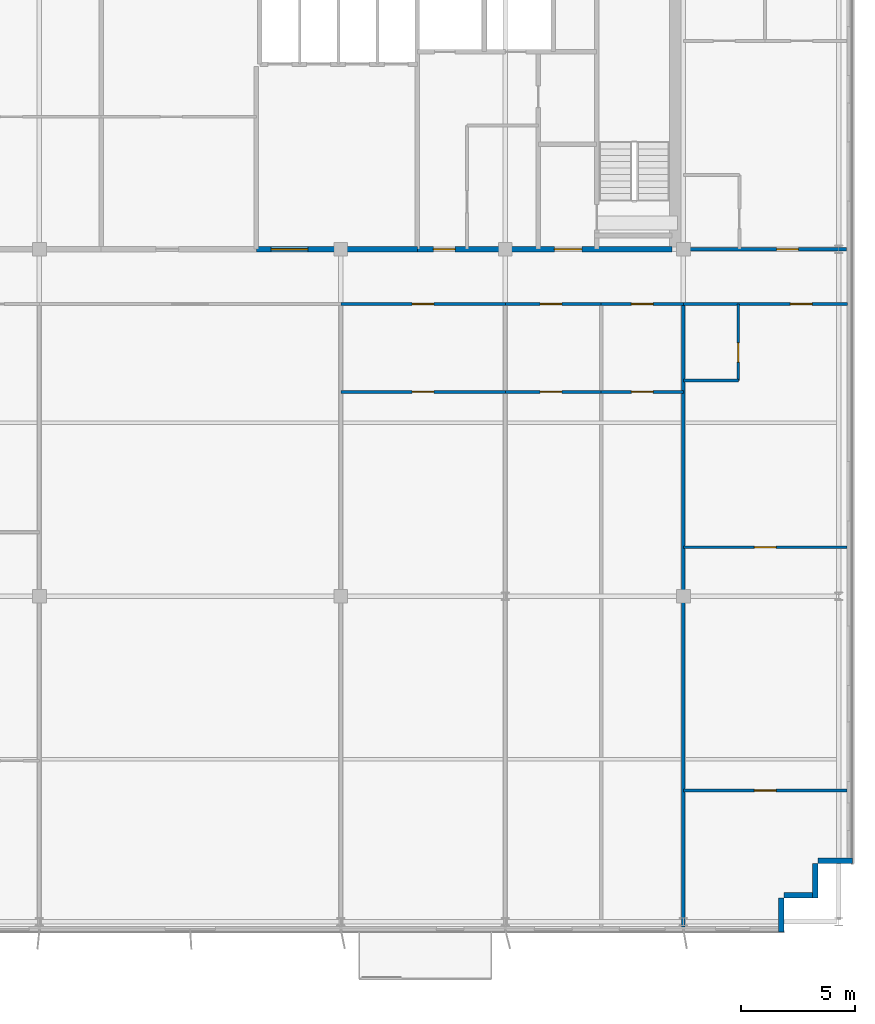
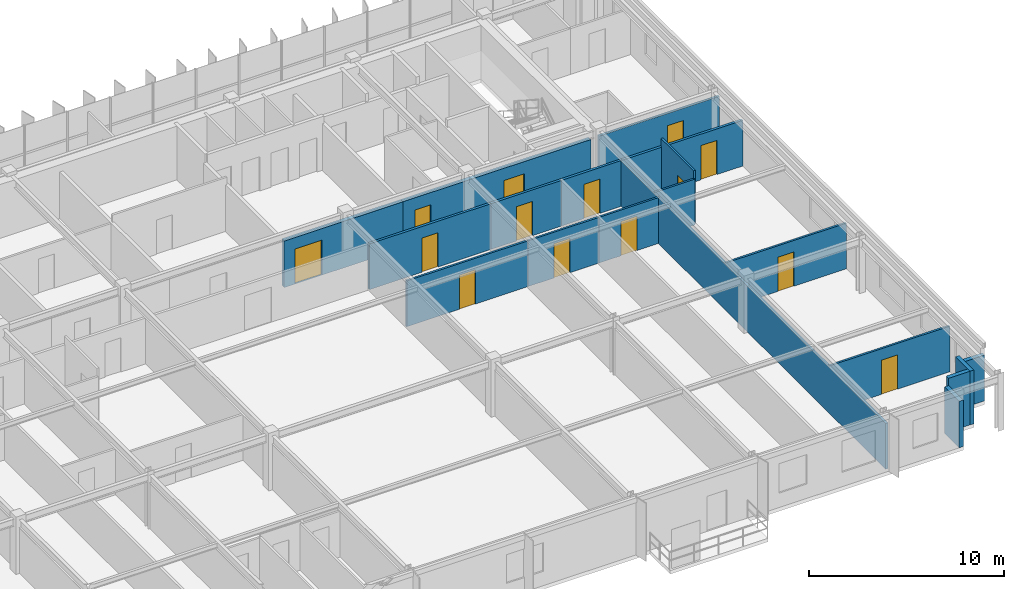
# One storey, part 18 of 22: 19 walls, 14 doors, 14 openings.
"""IFC4 building model written with IfcOpenShell, lengths in metres."""

from ifc_helpers import new_model, si_unit, direction, frame, frame_2d, origin, place, context, subcontext, project, spatial, rectangle, extrude, source, transform, mapped, material, layer, layer_set, type_object, element, fill, save


model = new_model("IFC4")

# Units and contexts
model_context = context("Model", 3, precision=1e-05, world=origin(), true_north=direction((0.0, 1.0)))
body_context = subcontext(model_context, "Body", "Model", "MODEL_VIEW")
ifc_project = project(units=[si_unit("LENGTHUNIT", "METRE"), si_unit("AREAUNIT", "SQUARE_METRE"), si_unit("VOLUMEUNIT", "CUBIC_METRE"), si_unit("PLANEANGLEUNIT", "RADIAN"), si_unit("MASSUNIT", "GRAM", prefix="KILO")], contexts=[model_context])

# Site, building, storey
site_placement = place(None, origin())
site = spatial("IfcSite", under=ifc_project, at=site_placement, CompositionType="ELEMENT")
building_placement = place(site_placement, origin())
building = spatial("IfcBuilding", under=site, at=building_placement, Name="Trelvane Seafront Commons", CompositionType="ELEMENT")
storey_placement = place(building_placement, frame((0.0, 0.0, 277.5)))
storey = spatial("IfcBuildingStorey", under=building, at=storey_placement, Name="L72", CompositionType="ELEMENT", Elevation=277.5)

# Walls
ifc_material_1 = material(Name="Precast concrete C40/50", Category="concrete")
ifc_layer_1 = layer(ifc_material_1, 0.239990234375, Name="ARCH-WALL-EXT240")
ifc_layer_set_1 = layer_set([ifc_layer_1], Name="Precast concrete C40/50")
wall_type_1 = type_object("IfcWallType", Name="ARCH-WALL-EXT240", PredefinedType="SOLIDWALL", material=ifc_layer_set_1)
wall_1_placement = place(storey_placement, frame((66.199951171875, 6.6201171875, 0.0), z_axis=(0.0, 0.0, 1.0), x_axis=(-1.0, 0.0, 0.0)))
element("IfcWall", 1, at=wall_1_placement, inside=storey, type_object=wall_type_1, Name="EW-L72-01460", PredefinedType="SOLIDWALL", context=body_context, shape_type="SweptSolid", body=[
    extrude(rectangle(XDim=1.5, YDim=0.239990234375, at=frame_2d((0.75, 0.0))), origin(), (0.0, 0.0, 1.0), 2.8701171875),
])
for number, where, z_axis, x_axis, name in (
    (2, (64.580078125, 6.5, 0.0), (0.0, 0.0, 1.0), (0.0, -1.0, 0.0), "EW-L72-01461"),
    (3, (64.699951171875, 5.1201171875, 0.0), (0.0, 0.0, 1.0), (-1.0, 0.0, 0.0), "EW-L72-01462"),
):
    element("IfcWall", number, at=place(storey_placement, frame(where, z_axis=z_axis, x_axis=x_axis)), inside=storey, type_object=wall_type_1, Name=name, PredefinedType="SOLIDWALL", context=body_context, shape_type="SweptSolid", body=[
        extrude(rectangle(XDim=1.5, YDim=0.239990234375, at=frame_2d((0.75, 0.0))), origin(), (0.0, 0.0, 1.0), 3.3701171875),
    ])
wall_2_placement = place(storey_placement, frame((63.080078125, 5.0, 0.0), z_axis=(0.0, 0.0, 1.0), x_axis=(0.0, -1.0, 0.0)))
element("IfcWall", 4, at=wall_2_placement, inside=storey, type_object=wall_type_1, Name="EW-L72-01463", PredefinedType="SOLIDWALL", context=body_context, shape_type="SweptSolid", body=[
    extrude(rectangle(XDim=1.5, YDim=0.239990234375, at=frame_2d((0.75, 0.0))), origin(), (0.0, 0.0, 1.0), 2.919921875),
])

# Wall, opening, door
ifc_material_2 = material(Name="Concrete C40/50", Category="concrete")
ifc_layer_2 = layer(ifc_material_2, 0.25, Name="ARCH-WALL-FIRE250")
ifc_layer_set_2 = layer_set([ifc_layer_2], Name="Concrete C40/50")
wall_type_2 = type_object("IfcWallType", Name="ARCH-WALL-FIRE250", PredefinedType="PARTITIONING", material=ifc_layer_set_2)
wall_3_placement = place(storey_placement, frame((40.10009765625, 33.39990234375, 0.0), z_axis=(0.0, 0.0, 1.0), x_axis=(1.0, 0.0, 0.0)))
wall_3 = element("IfcWall", 5, at=wall_3_placement, inside=storey, type_object=wall_type_2, Name="W-L72-CS-PAX-026", PredefinedType="PARTITIONING", context=body_context, shape_type="SweptSolid", body=[
    extrude(rectangle(XDim=7.0498046875, YDim=0.25, at=frame_2d((3.52490234375, 0.0))), origin(), (0.0, 0.0, 1.0), 2.919921875),
])
opening_1_placement = place(wall_3_placement, frame((0.64990234375, 0.0, 0.0)))
opening_1 = element("IfcOpeningElement", 6, at=opening_1_placement, cuts=wall_3, Name="Opening FD-L72-14", PredefinedType="OPENING", context=body_context, shape_type="SweptSolid", body=[
    extrude(rectangle(XDim=1.60009765625, YDim=2.199951171875, at=frame_2d((0.800048828125, 1.10009765625))), frame((0.0, 0.135009765625, 0.0), z_axis=(0.0, -1.0, 0.0), x_axis=(1.0, 0.0, 0.0)), (0.0, 0.0, 1.0), 0.27001953125),
])
ifc_material_3 = material(Name="Powder-coated aluminium frame", Category="aluminium")
door_type_1 = type_object("IfcDoorType", Name="ARCH-DR-FD60-1600", OperationType="DOUBLE_DOOR_SINGLE_SWING", PredefinedType="DOOR", material=ifc_material_3)
shared_shape_1 = source(origin(), body_context, "Body", "SweptSolid", [
    extrude(rectangle(XDim=1.60009765625, YDim=2.199951171875, at=frame_2d((0.800048828125, 1.10009765625))), frame((0.0, 0.02490234375, 0.0), z_axis=(0.0, -1.0, 0.0), x_axis=(1.0, 0.0, 0.0)), (0.0, 0.0, 1.0), 0.050048828125),
])
door_1_placement = place(opening_1_placement, origin())
door_1 = element("IfcDoor", 7, at=door_1_placement, inside=storey, type_object=door_type_1, Name="L72 High-Rise Lift Lobby Double Door", OperationType="DOUBLE_DOOR_SINGLE_SWING", OverallHeight=2.199951171875, OverallWidth=1.60009765625, PredefinedType="DOOR", context=body_context, shape_type="MappedRepresentation", body=[
    mapped(shared_shape_1, transform((0.0, 0.0, 0.0), x_axis=(1.0, 0.0, 0.0), y_axis=(0.0, 1.0, 0.0), z_axis=(0.0, 0.0, 1.0), scale=1.0)),
])
fill(opening_1, door_1)

# Wall, openings, doors
wall_4_placement = place(storey_placement, frame((47.14990234375, 33.39990234375, 0.0), z_axis=(0.0, 0.0, 1.0), x_axis=(1.0, 0.0, 0.0)))
wall_4 = element("IfcWall", 8, at=wall_4_placement, inside=storey, type_object=wall_type_2, Name="W-L72-CS-EAST-034", PredefinedType="PARTITIONING", context=body_context, shape_type="SweptSolid", body=[
    extrude(rectangle(XDim=11.150146484375, YDim=0.25, at=frame_2d((5.5751953125, 0.0))), origin(), (0.0, 0.0, 1.0), 2.919921875),
])
opening_2_placement = place(wall_4_placement, frame((0.699951171875, 0.0, 0.0)))
opening_2 = element("IfcOpeningElement", 9, at=opening_2_placement, cuts=wall_4, Name="Opening FD-L72-19", PredefinedType="OPENING", context=body_context, shape_type="SweptSolid", body=[
    extrude(rectangle(XDim=0.949951171875, YDim=2.14990234375, at=frame_2d((0.47509765625, 1.074951171875))), frame((0.0, 0.135009765625, 0.0), z_axis=(0.0, -1.0, 0.0), x_axis=(1.0, 0.0, 0.0)), (0.0, 0.0, 1.0), 0.27001953125),
])
opening_3_placement = place(wall_4_placement, frame((6.0, 0.0, 0.0)))
opening_3 = element("IfcOpeningElement", 10, at=opening_3_placement, cuts=wall_4, Name="Opening FD-L72-20", PredefinedType="OPENING", context=body_context, shape_type="SweptSolid", body=[
    extrude(rectangle(XDim=1.199951171875, YDim=2.14990234375, at=frame_2d((0.60009765625, 1.074951171875))), frame((0.0, 0.135009765625, 0.0), z_axis=(0.0, -1.0, 0.0), x_axis=(1.0, 0.0, 0.0)), (0.0, 0.0, 1.0), 0.27001953125),
])
door_type_2 = type_object("IfcDoorType", Name="ARCH-DR-FD60-950", OperationType="NOTDEFINED", PredefinedType="DOOR", material=ifc_material_3)
shared_shape_2 = source(origin(), body_context, "Body", "SweptSolid", [
    extrude(rectangle(XDim=0.949951171875, YDim=2.14990234375, at=frame_2d((0.47509765625, 1.074951171875))), frame((0.0, 0.02490234375, 0.0), z_axis=(0.0, -1.0, 0.0), x_axis=(1.0, 0.0, 0.0)), (0.0, 0.0, 1.0), 0.050048828125),
])
door_2_placement = place(opening_2_placement, origin())
door_2 = element("IfcDoor", 11, at=door_2_placement, inside=storey, type_object=door_type_2, Name="L72 Core Service Lobby Door", OperationType="SINGLE_SWING_LEFT", OverallHeight=2.14990234375, OverallWidth=0.949951171875, PredefinedType="DOOR", context=body_context, shape_type="MappedRepresentation", body=[
    mapped(shared_shape_2, transform((0.0, 0.0, 0.0), x_axis=(1.0, 0.0, 0.0), y_axis=(0.0, 1.0, 0.0), z_axis=(0.0, 0.0, 1.0), scale=1.0)),
])
fill(opening_2, door_2)
door_type_3 = type_object("IfcDoorType", Name="ARCH-DR-FD60-1200", OperationType="NOTDEFINED", PredefinedType="DOOR", material=ifc_material_3)
shared_shape_3 = source(origin(), body_context, "Body", "SweptSolid", [
    extrude(rectangle(XDim=1.199951171875, YDim=2.14990234375, at=frame_2d((0.60009765625, 1.074951171875))), frame((0.0, 0.02490234375, 0.0), z_axis=(0.0, -1.0, 0.0), x_axis=(1.0, 0.0, 0.0)), (0.0, 0.0, 1.0), 0.050048828125),
])
door_3_placement = place(opening_3_placement, origin())
door_3 = element("IfcDoor", 12, at=door_3_placement, inside=storey, type_object=door_type_3, Name="L72 East Stair Vestibule Fire Door", OperationType="SINGLE_SWING_RIGHT", OverallHeight=2.14990234375, OverallWidth=1.199951171875, PredefinedType="DOOR", context=body_context, shape_type="MappedRepresentation", body=[
    mapped(shared_shape_3, transform((0.0, 0.0, 0.0), x_axis=(1.0, 0.0, 0.0), y_axis=(0.0, 1.0, 0.0), z_axis=(0.0, 0.0, 1.0), scale=1.0)),
])
fill(opening_3, door_3)

# Wall, opening, door
ifc_material_4 = material(Name="Gypsum Drywall Acoustic Partition")
ifc_layer_3 = layer(ifc_material_4, 0.1201171875, Name="ARCH-WALL-PART120")
ifc_layer_set_3 = layer_set([ifc_layer_3], Name="Gypsum Drywall Acoustic Partition")
wall_type_3 = type_object("IfcWallType", Name="ARCH-WALL-PART120", PredefinedType="PARTITIONING", material=ifc_layer_set_3)
wall_5_placement = place(storey_placement, frame((43.800048828125, 27.14990234375, 0.0), z_axis=(0.0, 0.0, 1.0), x_axis=(1.0, 0.0, 0.0)))
wall_5 = element("IfcWall", 13, at=wall_5_placement, inside=storey, type_object=wall_type_3, Name="W-L72-U6-DIV-073", PredefinedType="PARTITIONING", context=body_context, shape_type="SweptSolid", body=[
    extrude(rectangle(XDim=7.199951171875, YDim=0.1201171875, at=frame_2d((3.60009765625, 0.0))), origin(), (0.0, 0.0, 1.0), 2.8701171875),
])
opening_4_placement = place(wall_5_placement, frame((3.125, 0.0, 0.0)))
opening_4 = element("IfcOpeningElement", 14, at=opening_4_placement, cuts=wall_5, Name="Opening D-L72-45", PredefinedType="OPENING", context=body_context, shape_type="SweptSolid", body=[
    extrude(rectangle(XDim=0.949951171875, YDim=2.14990234375, at=frame_2d((0.47509765625, 1.074951171875))), frame((0.0, 0.070068359375, 0.0), z_axis=(0.0, -1.0, 0.0), x_axis=(1.0, 0.0, 0.0)), (0.0, 0.0, 1.0), 0.14013671875),
])
ifc_material_5 = material(Name="Acoustic timber door leaf", Category="wood")
door_type_4 = type_object("IfcDoorType", Name="ARCH-DR-INT950", OperationType="NOTDEFINED", PredefinedType="DOOR", material=ifc_material_5)
door_4_placement = place(opening_4_placement, origin())
door_4 = element("IfcDoor", 15, at=door_4_placement, inside=storey, type_object=door_type_4, Name="L72 Door 45", OperationType="SINGLE_SWING_LEFT", OverallHeight=2.14990234375, OverallWidth=0.949951171875, PredefinedType="DOOR", context=body_context, shape_type="MappedRepresentation", body=[
    mapped(shared_shape_2, transform((0.0, 0.0, 0.0), x_axis=(1.0, 0.0, 0.0), y_axis=(0.0, 1.0, 0.0), z_axis=(0.0, 0.0, 1.0), scale=1.0)),
])
fill(opening_4, door_4)

wall_6_placement = place(storey_placement, frame((51.0, 27.14990234375, 0.0), z_axis=(0.0, 0.0, 1.0), x_axis=(1.0, 0.0, 0.0)))
wall_6 = element("IfcWall", 16, at=wall_6_placement, inside=storey, type_object=wall_type_3, Name="W-L72-U7-DIV-075", PredefinedType="PARTITIONING", context=body_context, shape_type="SweptSolid", body=[
    extrude(rectangle(XDim=4.199951171875, YDim=0.1201171875, at=frame_2d((2.10009765625, 0.0))), origin(), (0.0, 0.0, 1.0), 2.8701171875),
])
opening_5_placement = place(wall_6_placement, frame((1.529052734375, 0.0, 0.0)))
opening_5 = element("IfcOpeningElement", 17, at=opening_5_placement, cuts=wall_6, Name="Opening D-L72-47", PredefinedType="OPENING", context=body_context, shape_type="SweptSolid", body=[
    extrude(rectangle(XDim=0.949951171875, YDim=2.14990234375, at=frame_2d((0.47509765625, 1.074951171875))), frame((0.0, 0.070068359375, 0.0), z_axis=(0.0, -1.0, 0.0), x_axis=(1.0, 0.0, 0.0)), (0.0, 0.0, 1.0), 0.14013671875),
])
door_5_placement = place(opening_5_placement, origin())
door_5 = element("IfcDoor", 18, at=door_5_placement, inside=storey, type_object=door_type_4, Name="L72 Door 47", OperationType="SINGLE_SWING_LEFT", OverallHeight=2.14990234375, OverallWidth=0.949951171875, PredefinedType="DOOR", context=body_context, shape_type="MappedRepresentation", body=[
    mapped(shared_shape_2, transform((0.0, 0.0, 0.0), x_axis=(1.0, 0.0, 0.0), y_axis=(0.0, 1.0, 0.0), z_axis=(0.0, 0.0, 1.0), scale=1.0)),
])
fill(opening_5, door_5)

wall_7_placement = place(storey_placement, frame((55.199951171875, 27.14990234375, 0.0), z_axis=(0.0, 0.0, 1.0), x_axis=(1.0, 0.0, 0.0)))
wall_7 = element("IfcWall", 19, at=wall_7_placement, inside=storey, type_object=wall_type_3, Name="W-L72-U8-DIV-077", PredefinedType="PARTITIONING", context=body_context, shape_type="SweptSolid", body=[
    extrude(rectangle(XDim=3.60009765625, YDim=0.1201171875, at=frame_2d((1.800048828125, 0.0))), origin(), (0.0, 0.0, 1.0), 2.8701171875),
])
opening_6_placement = place(wall_7_placement, frame((1.324951171875, 0.0, 0.0)))
opening_6 = element("IfcOpeningElement", 20, at=opening_6_placement, cuts=wall_7, Name="Opening D-L72-49", PredefinedType="OPENING", context=body_context, shape_type="SweptSolid", body=[
    extrude(rectangle(XDim=0.949951171875, YDim=2.14990234375, at=frame_2d((0.47509765625, 1.074951171875))), frame((0.0, 0.070068359375, 0.0), z_axis=(0.0, -1.0, 0.0), x_axis=(1.0, 0.0, 0.0)), (0.0, 0.0, 1.0), 0.14013671875),
])
door_6_placement = place(opening_6_placement, origin())
door_6 = element("IfcDoor", 21, at=door_6_placement, inside=storey, type_object=door_type_4, Name="L72 Door 49", OperationType="SINGLE_SWING_LEFT", OverallHeight=2.14990234375, OverallWidth=0.949951171875, PredefinedType="DOOR", context=body_context, shape_type="MappedRepresentation", body=[
    mapped(shared_shape_2, transform((0.0, 0.0, 0.0), x_axis=(1.0, 0.0, 0.0), y_axis=(0.0, 1.0, 0.0), z_axis=(0.0, 0.0, 1.0), scale=1.0)),
])
fill(opening_6, door_6)

wall_8_placement = place(storey_placement, frame((58.800048828125, 20.35009765625, 0.0), z_axis=(0.0, 0.0, 1.0), x_axis=(1.0, 0.0, 0.0)))
wall_8 = element("IfcWall", 22, at=wall_8_placement, inside=storey, type_object=wall_type_3, Name="W-L72-U9-KL-078", PredefinedType="PARTITIONING", context=body_context, shape_type="SweptSolid", body=[
    extrude(rectangle(XDim=7.159912109375, YDim=0.1201171875, at=frame_2d((3.580078125, 0.0))), origin(), (0.0, 0.0, 1.0), 2.8701171875),
])
opening_7_placement = place(wall_8_placement, frame((3.10498046875, 0.0, 0.0)))
opening_7 = element("IfcOpeningElement", 23, at=opening_7_placement, cuts=wall_8, Name="Opening D-L72-50", PredefinedType="OPENING", context=body_context, shape_type="SweptSolid", body=[
    extrude(rectangle(XDim=0.949951171875, YDim=2.14990234375, at=frame_2d((0.47509765625, 1.074951171875))), frame((0.0, 0.070068359375, 0.0), z_axis=(0.0, -1.0, 0.0), x_axis=(1.0, 0.0, 0.0)), (0.0, 0.0, 1.0), 0.14013671875),
])
door_7_placement = place(opening_7_placement, origin())
door_7 = element("IfcDoor", 24, at=door_7_placement, inside=storey, type_object=door_type_4, Name="L72 Door 50", OperationType="SINGLE_SWING_RIGHT", OverallHeight=2.14990234375, OverallWidth=0.949951171875, PredefinedType="DOOR", context=body_context, shape_type="MappedRepresentation", body=[
    mapped(shared_shape_2, transform((0.0, 0.0, 0.0), x_axis=(1.0, 0.0, 0.0), y_axis=(0.0, 1.0, 0.0), z_axis=(0.0, 0.0, 1.0), scale=1.0)),
])
fill(opening_7, door_7)

wall_9_placement = place(storey_placement, frame((61.199951171875, 27.64990234375, 0.0), z_axis=(0.0, 0.0, 1.0), x_axis=(0.0, 1.0, 0.0)))
wall_9 = element("IfcWall", 25, at=wall_9_placement, inside=storey, type_object=wall_type_3, Name="W-L72-U9-BE-079", PredefinedType="PARTITIONING", context=body_context, shape_type="SweptSolid", body=[
    extrude(rectangle(XDim=3.35009765625, YDim=0.1201171875, at=frame_2d((1.675048828125, 0.0))), origin(), (0.0, 0.0, 1.0), 3.3701171875),
])
opening_8_placement = place(wall_9_placement, frame((0.800048828125, 0.0, 0.0)))
opening_8 = element("IfcOpeningElement", 26, at=opening_8_placement, cuts=wall_9, Name="Opening D-L72-51", PredefinedType="OPENING", context=body_context, shape_type="SweptSolid", body=[
    extrude(rectangle(XDim=0.85009765625, YDim=2.10009765625, at=frame_2d((0.425048828125, 1.050048828125))), frame((0.0, 0.070068359375, 0.0), z_axis=(0.0, -1.0, 0.0), x_axis=(1.0, 0.0, 0.0)), (0.0, 0.0, 1.0), 0.14013671875),
])
door_type_5 = type_object("IfcDoorType", Name="ARCH-DR-INT850", OperationType="NOTDEFINED", PredefinedType="DOOR", material=ifc_material_5)
shared_shape_4 = source(origin(), body_context, "Body", "SweptSolid", [
    extrude(rectangle(XDim=0.85009765625, YDim=2.10009765625, at=frame_2d((0.425048828125, 1.050048828125))), frame((0.0, 0.02490234375, 0.0), z_axis=(0.0, -1.0, 0.0), x_axis=(1.0, 0.0, 0.0)), (0.0, 0.0, 1.0), 0.050048828125),
])
door_8_placement = place(opening_8_placement, origin())
door_8 = element("IfcDoor", 27, at=door_8_placement, inside=storey, type_object=door_type_5, Name="L72 Door 51", OperationType="SINGLE_SWING_LEFT", OverallHeight=2.10009765625, OverallWidth=0.85009765625, PredefinedType="DOOR", context=body_context, shape_type="MappedRepresentation", body=[
    mapped(shared_shape_4, transform((0.0, 0.0, 0.0), x_axis=(1.0, 0.0, 0.0), y_axis=(0.0, 1.0, 0.0), z_axis=(0.0, 0.0, 1.0), scale=1.0)),
])
fill(opening_8, door_8)

# Wall
wall_10_placement = place(storey_placement, frame((58.800048828125, 27.64990234375, 0.0), z_axis=(0.0, 0.0, 1.0), x_axis=(1.0, 0.0, 0.0)))
element("IfcWall", 28, at=wall_10_placement, inside=storey, type_object=wall_type_3, Name="W-L72-U9-BS-080", PredefinedType="PARTITIONING", context=body_context, shape_type="SweptSolid", body=[
    extrude(rectangle(XDim=2.39990234375, YDim=0.1201171875, at=frame_2d((1.199951171875, 0.0))), origin(), (0.0, 0.0, 1.0), 2.8701171875),
])

# Wall, opening, door
wall_11_placement = place(storey_placement, frame((58.800048828125, 9.699951171875, 0.0), z_axis=(0.0, 0.0, 1.0), x_axis=(1.0, 0.0, 0.0)))
wall_11 = element("IfcWall", 29, at=wall_11_placement, inside=storey, type_object=wall_type_3, Name="W-L72-U9-YM-1-082", PredefinedType="PARTITIONING", context=body_context, shape_type="SweptSolid", body=[
    extrude(rectangle(XDim=7.159912109375, YDim=0.1201171875, at=frame_2d((3.580078125, 0.0))), origin(), (0.0, 0.0, 1.0), 2.8701171875),
])
opening_9_placement = place(wall_11_placement, frame((3.10498046875, 0.0, 0.0)))
opening_9 = element("IfcOpeningElement", 30, at=opening_9_placement, cuts=wall_11, Name="Opening D-L72-53", PredefinedType="OPENING", context=body_context, shape_type="SweptSolid", body=[
    extrude(rectangle(XDim=0.949951171875, YDim=2.14990234375, at=frame_2d((0.47509765625, 1.074951171875))), frame((0.0, 0.070068359375, 0.0), z_axis=(0.0, -1.0, 0.0), x_axis=(1.0, 0.0, 0.0)), (0.0, 0.0, 1.0), 0.14013671875),
])
door_9_placement = place(opening_9_placement, origin())
door_9 = element("IfcDoor", 31, at=door_9_placement, inside=storey, type_object=door_type_4, Name="L72 Door 53", OperationType="SINGLE_SWING_LEFT", OverallHeight=2.14990234375, OverallWidth=0.949951171875, PredefinedType="DOOR", context=body_context, shape_type="MappedRepresentation", body=[
    mapped(shared_shape_2, transform((0.0, 0.0, 0.0), x_axis=(1.0, 0.0, 0.0), y_axis=(0.0, 1.0, 0.0), z_axis=(0.0, 0.0, 1.0), scale=1.0)),
])
fill(opening_9, door_9)

ifc_layer_4 = layer(ifc_material_4, 0.14990234375, Name="ARCH-WALL-PART150")
ifc_layer_set_4 = layer_set([ifc_layer_4], Name="Gypsum Drywall Acoustic Partition")
wall_type_4 = type_object("IfcWallType", Name="ARCH-WALL-PART150", PredefinedType="PARTITIONING", material=ifc_layer_set_4)
wall_12_placement = place(storey_placement, frame((58.800048828125, 33.39990234375, 0.0), z_axis=(0.0, 0.0, 1.0), x_axis=(1.0, 0.0, 0.0)))
wall_12 = element("IfcWall", 32, at=wall_12_placement, inside=storey, type_object=wall_type_4, Name="W-L72-NE-ENT-041", PredefinedType="PARTITIONING", context=body_context, shape_type="SweptSolid", body=[
    extrude(rectangle(XDim=7.14990234375, YDim=0.14990234375, at=frame_2d((3.574951171875, 0.0))), origin(), (0.0, 0.0, 1.0), 2.919921875),
])
opening_10_placement = place(wall_12_placement, frame((4.080078125, 0.0, 0.0)))
opening_10 = element("IfcOpeningElement", 33, at=opening_10_placement, cuts=wall_12, Name="Opening FD-L72-25", PredefinedType="OPENING", context=body_context, shape_type="SweptSolid", body=[
    extrude(rectangle(XDim=0.949951171875, YDim=2.14990234375, at=frame_2d((0.47509765625, 1.074951171875))), frame((0.0, 0.0849609375, 0.0), z_axis=(0.0, -1.0, 0.0), x_axis=(1.0, 0.0, 0.0)), (0.0, 0.0, 1.0), 0.169921875),
])
door_10_placement = place(opening_10_placement, origin())
door_10 = element("IfcDoor", 34, at=door_10_placement, inside=storey, type_object=door_type_2, Name="L72 NE Flat Entrance Door", OperationType="SINGLE_SWING_LEFT", OverallHeight=2.14990234375, OverallWidth=0.949951171875, PredefinedType="DOOR", context=body_context, shape_type="MappedRepresentation", body=[
    mapped(shared_shape_2, transform((0.0, 0.0, 0.0), x_axis=(1.0, 0.0, 0.0), y_axis=(0.0, 1.0, 0.0), z_axis=(0.0, 0.0, 1.0), scale=1.0)),
])
fill(opening_10, door_10)

# Wall
wall_13_placement = place(storey_placement, frame((58.800048828125, 3.72509765625, 0.0), z_axis=(0.0, 0.0, 1.0), x_axis=(0.0, 1.0, 0.0)))
element("IfcWall", 35, at=wall_13_placement, inside=storey, type_object=wall_type_4, Name="W-L72-PW-8-052", PredefinedType="PARTITIONING", context=body_context, shape_type="SweptSolid", body=[
    extrude(rectangle(XDim=27.27490234375, YDim=0.14990234375, at=frame_2d((13.637451171875, 0.0))), origin(), (0.0, 0.0, 1.0), 2.8701171875),
])

# Wall, opening, door
wall_14_placement = place(storey_placement, frame((43.800048828125, 31.0, 0.0), z_axis=(0.0, 0.0, 1.0), x_axis=(1.0, 0.0, 0.0)))
wall_14 = element("IfcWall", 36, at=wall_14_placement, inside=storey, type_object=wall_type_4, Name="W-L72-CS-BAY-6-072", PredefinedType="PARTITIONING", context=body_context, shape_type="SweptSolid", body=[
    extrude(rectangle(XDim=7.199951171875, YDim=0.14990234375, at=frame_2d((3.60009765625, 0.0))), origin(), (0.0, 0.0, 1.0), 2.8701171875),
])
opening_11_placement = place(wall_14_placement, frame((3.125, 0.0, 0.0)))
opening_11 = element("IfcOpeningElement", 37, at=opening_11_placement, cuts=wall_14, Name="Opening FD-L72-44", PredefinedType="OPENING", context=body_context, shape_type="SweptSolid", body=[
    extrude(rectangle(XDim=0.949951171875, YDim=2.14990234375, at=frame_2d((0.47509765625, 1.074951171875))), frame((0.0, 0.0849609375, 0.0), z_axis=(0.0, -1.0, 0.0), x_axis=(1.0, 0.0, 0.0)), (0.0, 0.0, 1.0), 0.169921875),
])
door_11_placement = place(opening_11_placement, origin())
door_11 = element("IfcDoor", 38, at=door_11_placement, inside=storey, type_object=door_type_2, Name="L72 Bay 06 Entrance Door", OperationType="SINGLE_SWING_RIGHT", OverallHeight=2.14990234375, OverallWidth=0.949951171875, PredefinedType="DOOR", context=body_context, shape_type="MappedRepresentation", body=[
    mapped(shared_shape_2, transform((0.0, 0.0, 0.0), x_axis=(1.0, 0.0, 0.0), y_axis=(0.0, 1.0, 0.0), z_axis=(0.0, 0.0, 1.0), scale=1.0)),
])
fill(opening_11, door_11)

wall_15_placement = place(storey_placement, frame((51.0, 31.0, 0.0), z_axis=(0.0, 0.0, 1.0), x_axis=(1.0, 0.0, 0.0)))
wall_15 = element("IfcWall", 39, at=wall_15_placement, inside=storey, type_object=wall_type_4, Name="W-L72-CS-BAY-7-074", PredefinedType="PARTITIONING", context=body_context, shape_type="SweptSolid", body=[
    extrude(rectangle(XDim=4.199951171875, YDim=0.14990234375, at=frame_2d((2.10009765625, 0.0))), origin(), (0.0, 0.0, 1.0), 2.8701171875),
])
opening_12_placement = place(wall_15_placement, frame((1.529052734375, 0.0, 0.0)))
opening_12 = element("IfcOpeningElement", 40, at=opening_12_placement, cuts=wall_15, Name="Opening FD-L72-46", PredefinedType="OPENING", context=body_context, shape_type="SweptSolid", body=[
    extrude(rectangle(XDim=0.949951171875, YDim=2.14990234375, at=frame_2d((0.47509765625, 1.074951171875))), frame((0.0, 0.0849609375, 0.0), z_axis=(0.0, -1.0, 0.0), x_axis=(1.0, 0.0, 0.0)), (0.0, 0.0, 1.0), 0.169921875),
])
door_12_placement = place(opening_12_placement, origin())
door_12 = element("IfcDoor", 41, at=door_12_placement, inside=storey, type_object=door_type_2, Name="L72 Bay 07 Entrance Door", OperationType="SINGLE_SWING_RIGHT", OverallHeight=2.14990234375, OverallWidth=0.949951171875, PredefinedType="DOOR", context=body_context, shape_type="MappedRepresentation", body=[
    mapped(shared_shape_2, transform((0.0, 0.0, 0.0), x_axis=(1.0, 0.0, 0.0), y_axis=(0.0, 1.0, 0.0), z_axis=(0.0, 0.0, 1.0), scale=1.0)),
])
fill(opening_12, door_12)

wall_16_placement = place(storey_placement, frame((55.199951171875, 31.0, 0.0), z_axis=(0.0, 0.0, 1.0), x_axis=(1.0, 0.0, 0.0)))
wall_16 = element("IfcWall", 42, at=wall_16_placement, inside=storey, type_object=wall_type_4, Name="W-L72-CS-BAY-8-076", PredefinedType="PARTITIONING", context=body_context, shape_type="SweptSolid", body=[
    extrude(rectangle(XDim=3.60009765625, YDim=0.14990234375, at=frame_2d((1.800048828125, 0.0))), origin(), (0.0, 0.0, 1.0), 2.8701171875),
])
opening_13_placement = place(wall_16_placement, frame((1.324951171875, 0.0, 0.0)))
opening_13 = element("IfcOpeningElement", 43, at=opening_13_placement, cuts=wall_16, Name="Opening FD-L72-48", PredefinedType="OPENING", context=body_context, shape_type="SweptSolid", body=[
    extrude(rectangle(XDim=0.949951171875, YDim=2.14990234375, at=frame_2d((0.47509765625, 1.074951171875))), frame((0.0, 0.0849609375, 0.0), z_axis=(0.0, -1.0, 0.0), x_axis=(1.0, 0.0, 0.0)), (0.0, 0.0, 1.0), 0.169921875),
])
door_13_placement = place(opening_13_placement, origin())
door_13 = element("IfcDoor", 44, at=door_13_placement, inside=storey, type_object=door_type_2, Name="L72 Bay 08 Entrance Door", OperationType="SINGLE_SWING_RIGHT", OverallHeight=2.14990234375, OverallWidth=0.949951171875, PredefinedType="DOOR", context=body_context, shape_type="MappedRepresentation", body=[
    mapped(shared_shape_2, transform((0.0, 0.0, 0.0), x_axis=(1.0, 0.0, 0.0), y_axis=(0.0, 1.0, 0.0), z_axis=(0.0, 0.0, 1.0), scale=1.0)),
])
fill(opening_13, door_13)

wall_17_placement = place(storey_placement, frame((58.800048828125, 31.0, 0.0), z_axis=(0.0, 0.0, 1.0), x_axis=(1.0, 0.0, 0.0)))
wall_17 = element("IfcWall", 45, at=wall_17_placement, inside=storey, type_object=wall_type_4, Name="W-L72-CS-BAY-9-081", PredefinedType="PARTITIONING", context=body_context, shape_type="SweptSolid", body=[
    extrude(rectangle(XDim=7.175048828125, YDim=0.14990234375, at=frame_2d((3.58740234375, 0.0))), origin(), (0.0, 0.0, 1.0), 2.8701171875),
])
opening_14_placement = place(wall_17_placement, frame((4.680908203125, 0.0, 0.0)))
opening_14 = element("IfcOpeningElement", 46, at=opening_14_placement, cuts=wall_17, Name="Opening FD-L72-52", PredefinedType="OPENING", context=body_context, shape_type="SweptSolid", body=[
    extrude(rectangle(XDim=0.949951171875, YDim=2.14990234375, at=frame_2d((0.47509765625, 1.074951171875))), frame((0.0, 0.0849609375, 0.0), z_axis=(0.0, -1.0, 0.0), x_axis=(1.0, 0.0, 0.0)), (0.0, 0.0, 1.0), 0.169921875),
])
door_14_placement = place(opening_14_placement, origin())
door_14 = element("IfcDoor", 47, at=door_14_placement, inside=storey, type_object=door_type_2, Name="L72 Unit 09 Entrance Door", OperationType="SINGLE_SWING_RIGHT", OverallHeight=2.14990234375, OverallWidth=0.949951171875, PredefinedType="DOOR", context=body_context, shape_type="MappedRepresentation", body=[
    mapped(shared_shape_2, transform((0.0, 0.0, 0.0), x_axis=(1.0, 0.0, 0.0), y_axis=(0.0, 1.0, 0.0), z_axis=(0.0, 0.0, 1.0), scale=1.0)),
])
fill(opening_14, door_14)

save(model, "model.ifc")
